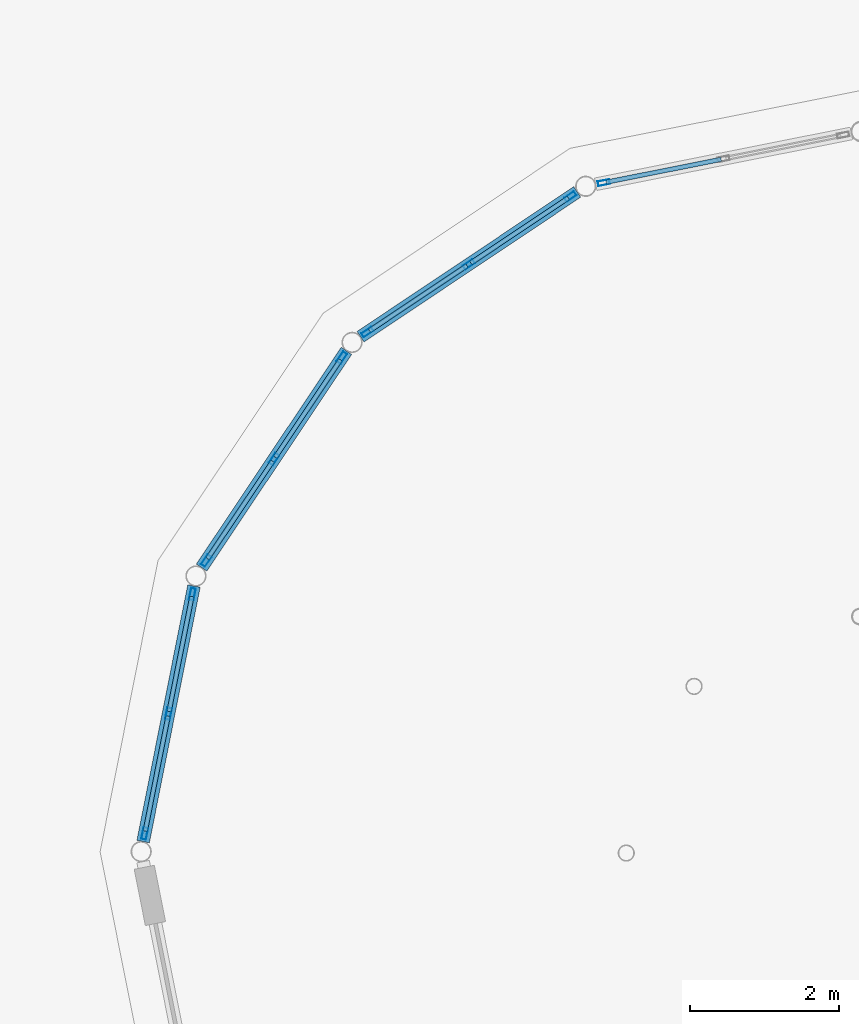
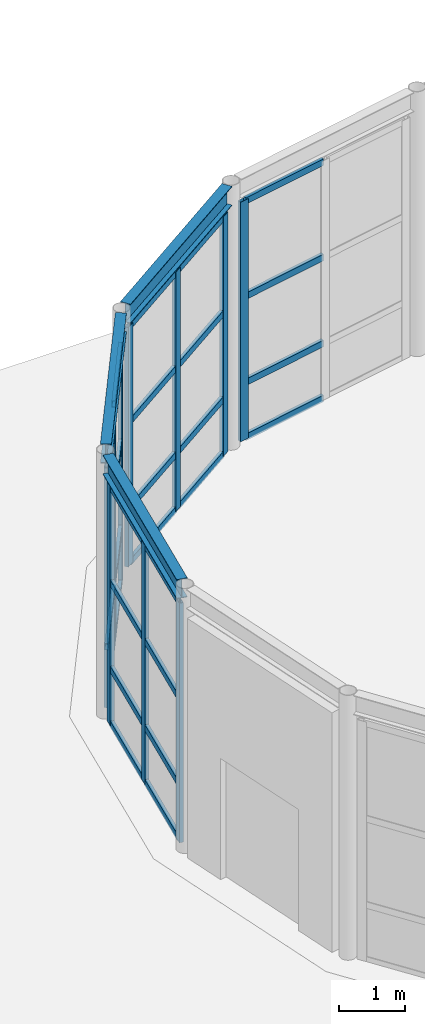
# One storey, part 16 of 57: 38 members, 3 beams, 4 elements without a shape of their own.
"""IFC4 building model written with IfcOpenShell, lengths in metres."""

from ifc_helpers import new_model, si_unit, direction, frame, origin, origin_2d, place, context, subcontext, project, spatial, hollow_rectangle, i_section, extrude, material, layer, layer_set, material_profile, profile_set, type_object, element, aggregate, save


model = new_model("IFC4")

# Units and contexts
model_context = context("Model", 3, precision=1e-05, world=origin(), true_north=direction((0.0, 1.0)))
body_context = subcontext(model_context, "Body", "Model", "MODEL_VIEW")
ifc_project = project(units=[si_unit("LENGTHUNIT", "METRE"), si_unit("AREAUNIT", "SQUARE_METRE"), si_unit("VOLUMEUNIT", "CUBIC_METRE"), si_unit("PLANEANGLEUNIT", "RADIAN"), si_unit("MASSUNIT", "GRAM", prefix="KILO")], contexts=[model_context])

# Site, building, storey
site_placement = place(None, origin())
site = spatial("IfcSite", under=ifc_project, at=site_placement, CompositionType="ELEMENT")
building_placement = place(site_placement, origin())
building = spatial("IfcBuilding", under=site, at=building_placement, Name="Kharisveld Research Institute", CompositionType="ELEMENT")
storey_placement = place(building_placement, origin())
storey = spatial("IfcBuildingStorey", under=building, at=storey_placement, Name="L00", CompositionType="ELEMENT", Elevation=0.0)

# Beams
ifc_material_1 = material(Name="Steel S355JR", Category="steel")
ifc_material_profile_1 = material_profile(ifc_material_1, i_section(OverallWidth=0.169921875, OverallDepth=0.360107421875, WebThickness=0.008056640625, FlangeThickness=0.0126953125, at=origin_2d()))
ifc_profile_set_1 = profile_set([ifc_material_profile_1], Name="Steel S355JR")
beam_type = type_object("IfcBeamType", Name="BM_ST_IPE360", PredefinedType="BEAM", material=ifc_profile_set_1)
beam_1_placement = place(storey_placement, frame((55.693603515625, 59.6396484375, 4.739990234375), z_axis=(-0.831479839999, -0.555554925885, 0.0), x_axis=(0.555554925885, -0.831479839999, 0.0)))
element("IfcBeam", 1, at=beam_1_placement, inside=storey, type_object=beam_type, Name="BM:V6:L00:RING05", PredefinedType="BEAM", context=body_context, shape_type="SweptSolid", body=[
    extrude(i_section(OverallWidth=0.169921875, OverallDepth=0.360107421875, WebThickness=0.008056640625, FlangeThickness=0.0126953125, at=origin_2d()), origin(), (0.0, 0.0, 1.0), 3.492431640625),
])
beam_2_placement = place(storey_placement, frame((52.6005859375, 57.510009765625, 4.739990234375), z_axis=(-0.555587219906, -0.831458261777, 0.0), x_axis=(0.831458261777, -0.555587219906, 0.0)))
element("IfcBeam", 2, at=beam_2_placement, inside=storey, type_object=beam_type, Name="BM:V6:L00:RING06", PredefinedType="BEAM", context=body_context, shape_type="SweptSolid", body=[
    extrude(i_section(OverallWidth=0.169921875, OverallDepth=0.360107421875, WebThickness=0.008056640625, FlangeThickness=0.0126953125, at=origin_2d()), origin(), (0.0, 0.0, 1.0), 3.4921875),
])
beam_3_placement = place(storey_placement, frame((50.557861328125, 54.359130859375, 4.739990234375), z_axis=(-0.1950405249, -0.980795184351, 0.0), x_axis=(0.980795184351, -0.1950405249, 0.0)))
element("IfcBeam", 3, at=beam_3_placement, inside=storey, type_object=beam_type, Name="BM:V6:L00:RING07", PredefinedType="BEAM", context=body_context, shape_type="SweptSolid", body=[
    extrude(i_section(OverallWidth=0.169921875, OverallDepth=0.360107421875, WebThickness=0.008056640625, FlangeThickness=0.0126953125, at=origin_2d()), origin(), (0.0, 0.0, 1.0), 3.492431640625),
])

# Curtain wall, member
ifc_material_2 = material(Name="Thermally Broken Aluminium Curtain Wall", Category="aluminium")
ifc_layer_1 = layer(ifc_material_2, 0.159912109375)
ifc_layer_set_1 = layer_set([ifc_layer_1], Name="CW_SYS_02")
curtain_wall_type_1 = type_object("IfcCurtainWallType", Name="CW_SYS_02", PredefinedType="NOTDEFINED", material=ifc_layer_set_1)
curtain_wall_1_placement = place(storey_placement, origin())
curtain_wall_1 = element("IfcCurtainWall", 4, at=curtain_wall_1_placement, inside=storey, type_object=curtain_wall_type_1, Name="CW:V6:L00:CHORD04", PredefinedType="NOTDEFINED")
ifc_material_3 = material(Name="Anodised Aluminium AW-6063-T6", Category="aluminium")
ifc_material_profile_2 = material_profile(ifc_material_3, hollow_rectangle(XDim=0.06494140625, YDim=0.159912109375, WallThickness=0.00390625, at=origin_2d()))
ifc_profile_set_2 = profile_set([ifc_material_profile_2], Name="Anodised Aluminium AW-6063-T6")
member_type_1 = type_object("IfcMemberType", Name="CW_MUL_160", PredefinedType="MULLION", material=ifc_profile_set_2)
member_1_placement = place(storey_placement, frame((56.0498046875, 59.763671875, 0.0), z_axis=(0.0, 0.0, 1.0), x_axis=(-0.195090730724, 0.980785199106, 0.0)))
member_1 = element("IfcMember", 5, at=member_1_placement, type_object=member_type_1, Name="CW-02 mullion 1", PredefinedType="MULLION", context=body_context, shape_type="SweptSolid", body=[
    extrude(hollow_rectangle(XDim=0.06494140625, YDim=0.159912109375, WallThickness=0.00390625, at=origin_2d()), origin(), (0.0, 0.0, 1.0), 4.449951171875),
])

# Curtain wall, members
ifc_material_4 = material(Name="Thermally Broken Aluminium Curtain Wall", Category="aluminium")
ifc_layer_2 = layer(ifc_material_4, 0.159912109375)
ifc_layer_set_2 = layer_set([ifc_layer_2], Name="CW_SYS_03")
curtain_wall_type_2 = type_object("IfcCurtainWallType", Name="CW_SYS_03", PredefinedType="NOTDEFINED", material=ifc_layer_set_2)
curtain_wall_2_placement = place(storey_placement, origin())
curtain_wall_2 = element("IfcCurtainWall", 6, at=curtain_wall_2_placement, inside=storey, type_object=curtain_wall_type_2, Name="CW:V6:L00:CHORD05", PredefinedType="NOTDEFINED")
member_2_placement = place(storey_placement, frame((52.88232421875, 57.760986328125, 0.0), z_axis=(0.0, 0.0, 1.0), x_axis=(-0.555570109828, 0.831469694616, 0.0)))
member_2 = element("IfcMember", 7, at=member_2_placement, type_object=member_type_1, Name="CW-03 mullion 1", PredefinedType="MULLION", context=body_context, shape_type="SweptSolid", body=[
    extrude(hollow_rectangle(XDim=0.06494140625, YDim=0.159912109375, WallThickness=0.00390625, at=origin_2d()), origin(), (0.0, 0.0, 1.0), 4.449951171875),
])
member_3_placement = place(storey_placement, frame((54.24169921875, 58.66943359375, 0.0), z_axis=(0.0, 0.0, 1.0), x_axis=(-0.555570109828, 0.831469694616, 0.0)))
member_3 = element("IfcMember", 8, at=member_3_placement, type_object=member_type_1, Name="CW-03 mullion 2", PredefinedType="MULLION", context=body_context, shape_type="SweptSolid", body=[
    extrude(hollow_rectangle(XDim=0.06494140625, YDim=0.159912109375, WallThickness=0.00390625, at=origin_2d()), origin(), (0.0, 0.0, 1.0), 4.449951171875),
])
member_4_placement = place(storey_placement, frame((55.601318359375, 59.577880859375, 0.0), z_axis=(0.0, 0.0, 1.0), x_axis=(-0.555570109828, 0.831469694616, 0.0)))
member_4 = element("IfcMember", 9, at=member_4_placement, type_object=member_type_1, Name="CW-03 mullion 3", PredefinedType="MULLION", context=body_context, shape_type="SweptSolid", body=[
    extrude(hollow_rectangle(XDim=0.06494140625, YDim=0.159912109375, WallThickness=0.00390625, at=origin_2d()), origin(), (0.0, 0.0, 1.0), 4.449951171875),
])

ifc_material_5 = material(Name="Thermally Broken Aluminium Curtain Wall", Category="aluminium")
ifc_layer_3 = layer(ifc_material_5, 0.159912109375)
ifc_layer_set_3 = layer_set([ifc_layer_3], Name="CW_SYS_04")
curtain_wall_type_3 = type_object("IfcCurtainWallType", Name="CW_SYS_04", PredefinedType="NOTDEFINED", material=ifc_layer_set_3)
curtain_wall_3_placement = place(storey_placement, origin())
curtain_wall_3 = element("IfcCurtainWall", 10, at=curtain_wall_3_placement, inside=storey, type_object=curtain_wall_type_3, Name="CW:V6:L00:CHORD06", PredefinedType="NOTDEFINED")
member_5_placement = place(storey_placement, frame((50.72216796875, 54.69873046875, 0.0), z_axis=(0.0, 0.0, 1.0), x_axis=(-0.831469694616, 0.555570109828, 0.0)))
member_5 = element("IfcMember", 11, at=member_5_placement, type_object=member_type_1, Name="CW-04 mullion 1", PredefinedType="MULLION", context=body_context, shape_type="SweptSolid", body=[
    extrude(hollow_rectangle(XDim=0.06494140625, YDim=0.159912109375, WallThickness=0.00390625, at=origin_2d()), origin(), (0.0, 0.0, 1.0), 4.449951171875),
])
member_6_placement = place(storey_placement, frame((51.63037109375, 56.058349609375, 0.0), z_axis=(0.0, 0.0, 1.0), x_axis=(-0.831469694616, 0.555570109828, 0.0)))
member_6 = element("IfcMember", 12, at=member_6_placement, type_object=member_type_1, Name="CW-04 mullion 2", PredefinedType="MULLION", context=body_context, shape_type="SweptSolid", body=[
    extrude(hollow_rectangle(XDim=0.06494140625, YDim=0.159912109375, WallThickness=0.00390625, at=origin_2d()), origin(), (0.0, 0.0, 1.0), 4.449951171875),
])
member_7_placement = place(storey_placement, frame((52.538818359375, 57.417724609375, 0.0), z_axis=(0.0, 0.0, 1.0), x_axis=(-0.831469694616, 0.555570109828, 0.0)))
member_7 = element("IfcMember", 13, at=member_7_placement, type_object=member_type_1, Name="CW-04 mullion 3", PredefinedType="MULLION", context=body_context, shape_type="SweptSolid", body=[
    extrude(hollow_rectangle(XDim=0.06494140625, YDim=0.159912109375, WallThickness=0.00390625, at=origin_2d()), origin(), (0.0, 0.0, 1.0), 4.449951171875),
])

ifc_material_6 = material(Name="Thermally Broken Aluminium Curtain Wall", Category="aluminium")
ifc_layer_4 = layer(ifc_material_6, 0.159912109375)
ifc_layer_set_4 = layer_set([ifc_layer_4], Name="CW_SYS_05")
curtain_wall_type_4 = type_object("IfcCurtainWallType", Name="CW_SYS_05", PredefinedType="NOTDEFINED", material=ifc_layer_set_4)
curtain_wall_4_placement = place(storey_placement, origin())
curtain_wall_4 = element("IfcCurtainWall", 14, at=curtain_wall_4_placement, inside=storey, type_object=curtain_wall_type_4, Name="CW:V6:L00:CHORD07", PredefinedType="NOTDEFINED")
member_8_placement = place(storey_placement, frame((49.898193359375, 51.042724609375, 0.0), z_axis=(0.0, 0.0, 1.0), x_axis=(-0.980785199106, 0.195090730724, 0.0)))
member_8 = element("IfcMember", 15, at=member_8_placement, type_object=member_type_1, Name="CW-05 mullion 1", PredefinedType="MULLION", context=body_context, shape_type="SweptSolid", body=[
    extrude(hollow_rectangle(XDim=0.06494140625, YDim=0.159912109375, WallThickness=0.00390625, at=origin_2d()), origin(), (0.0, 0.0, 1.0), 4.449951171875),
])
member_9_placement = place(storey_placement, frame((50.21728515625, 52.646484375, 0.0), z_axis=(0.0, 0.0, 1.0), x_axis=(-0.980785199106, 0.195090730724, 0.0)))
member_9 = element("IfcMember", 16, at=member_9_placement, type_object=member_type_1, Name="CW-05 mullion 2", PredefinedType="MULLION", context=body_context, shape_type="SweptSolid", body=[
    extrude(hollow_rectangle(XDim=0.06494140625, YDim=0.159912109375, WallThickness=0.00390625, at=origin_2d()), origin(), (0.0, 0.0, 1.0), 4.449951171875),
])
member_10_placement = place(storey_placement, frame((50.536376953125, 54.250244140625, 0.0), z_axis=(0.0, 0.0, 1.0), x_axis=(-0.980785199106, 0.195090730724, 0.0)))
member_10 = element("IfcMember", 17, at=member_10_placement, type_object=member_type_1, Name="CW-05 mullion 3", PredefinedType="MULLION", context=body_context, shape_type="SweptSolid", body=[
    extrude(hollow_rectangle(XDim=0.06494140625, YDim=0.159912109375, WallThickness=0.00390625, at=origin_2d()), origin(), (0.0, 0.0, 1.0), 4.449951171875),
])

# Member
ifc_material_7 = material(Name="Anodised Aluminium AW-6063-T6", Category="aluminium")
ifc_material_profile_3 = material_profile(ifc_material_7, hollow_rectangle(XDim=0.06005859375, YDim=0.1201171875, WallThickness=0.00390625, at=origin_2d()))
ifc_profile_set_3 = profile_set([ifc_material_profile_3], Name="Anodised Aluminium AW-6063-T6")
member_type_2 = type_object("IfcMemberType", Name="CW_TRN_120", PredefinedType="USERDEFINED", material=ifc_profile_set_3)
member_11_placement = place(storey_placement, frame((56.081787109375, 59.77001953125, 0.030029296875), z_axis=(0.980771599816, 0.195159086375, 0.0), x_axis=(-0.195159086375, 0.980771599816, 0.0)))
member_11 = element("IfcMember", 18, at=member_11_placement, type_object=member_type_2, Name="CW-02 transom 1.1", ObjectType="TRANSOM", PredefinedType="USERDEFINED", context=body_context, shape_type="SweptSolid", body=[
    extrude(hollow_rectangle(XDim=0.06005859375, YDim=0.1201171875, WallThickness=0.00390625, at=origin_2d()), origin(), (0.0, 0.0, 1.0), 1.570068359375),
])

member_12_placement = place(storey_placement, frame((56.081787109375, 59.77001953125, 1.050048828125), z_axis=(0.980771599816, 0.195159086375, 0.0), x_axis=(-0.195159086375, 0.980771599816, 0.0)))
member_12 = element("IfcMember", 19, at=member_12_placement, type_object=member_type_2, Name="CW-02 transom 1.2", ObjectType="TRANSOM", PredefinedType="USERDEFINED", context=body_context, shape_type="SweptSolid", body=[
    extrude(hollow_rectangle(XDim=0.06005859375, YDim=0.1201171875, WallThickness=0.00390625, at=origin_2d()), origin(), (0.0, 0.0, 1.0), 1.570068359375),
])

member_13_placement = place(storey_placement, frame((56.081787109375, 59.77001953125, 2.64990234375), z_axis=(0.980771599816, 0.195159086375, 0.0), x_axis=(-0.195159086375, 0.980771599816, 0.0)))
member_13 = element("IfcMember", 20, at=member_13_placement, type_object=member_type_2, Name="CW-02 transom 1.3", ObjectType="TRANSOM", PredefinedType="USERDEFINED", context=body_context, shape_type="SweptSolid", body=[
    extrude(hollow_rectangle(XDim=0.06005859375, YDim=0.1201171875, WallThickness=0.00390625, at=origin_2d()), origin(), (0.0, 0.0, 1.0), 1.570068359375),
])

member_14_placement = place(storey_placement, frame((56.081787109375, 59.77001953125, 4.419921875), z_axis=(0.980771599816, 0.195159086375, 0.0), x_axis=(-0.195159086375, 0.980771599816, 0.0)))
member_14 = element("IfcMember", 21, at=member_14_placement, type_object=member_type_2, Name="CW-02 transom 1.4", ObjectType="TRANSOM", PredefinedType="USERDEFINED", context=body_context, shape_type="SweptSolid", body=[
    extrude(hollow_rectangle(XDim=0.06005859375, YDim=0.1201171875, WallThickness=0.00390625, at=origin_2d()), origin(), (0.0, 0.0, 1.0), 1.570068359375),
])

aggregate(curtain_wall_1, [member_1, member_11, member_12, member_13, member_14])

member_15_placement = place(storey_placement, frame((52.9091796875, 57.779052734375, 0.030029296875), z_axis=(0.831499729939, 0.555525156147, 0.0), x_axis=(-0.555525156147, 0.831499729939, 0.0)))
member_15 = element("IfcMember", 22, at=member_15_placement, type_object=member_type_2, Name="CW-03 transom 1.1", ObjectType="TRANSOM", PredefinedType="USERDEFINED", context=body_context, shape_type="SweptSolid", body=[
    extrude(hollow_rectangle(XDim=0.06005859375, YDim=0.1201171875, WallThickness=0.00390625, at=origin_2d()), origin(), (0.0, 0.0, 1.0), 1.5703125),
])

member_16_placement = place(storey_placement, frame((52.9091796875, 57.779052734375, 1.050048828125), z_axis=(0.831499729939, 0.555525156147, 0.0), x_axis=(-0.555525156147, 0.831499729939, 0.0)))
member_16 = element("IfcMember", 23, at=member_16_placement, type_object=member_type_2, Name="CW-03 transom 1.2", ObjectType="TRANSOM", PredefinedType="USERDEFINED", context=body_context, shape_type="SweptSolid", body=[
    extrude(hollow_rectangle(XDim=0.06005859375, YDim=0.1201171875, WallThickness=0.00390625, at=origin_2d()), origin(), (0.0, 0.0, 1.0), 1.5703125),
])

member_17_placement = place(storey_placement, frame((52.9091796875, 57.779052734375, 2.64990234375), z_axis=(0.831499729939, 0.555525156147, 0.0), x_axis=(-0.555525156147, 0.831499729939, 0.0)))
member_17 = element("IfcMember", 24, at=member_17_placement, type_object=member_type_2, Name="CW-03 transom 1.3", ObjectType="TRANSOM", PredefinedType="USERDEFINED", context=body_context, shape_type="SweptSolid", body=[
    extrude(hollow_rectangle(XDim=0.06005859375, YDim=0.1201171875, WallThickness=0.00390625, at=origin_2d()), origin(), (0.0, 0.0, 1.0), 1.5703125),
])

member_18_placement = place(storey_placement, frame((52.9091796875, 57.779052734375, 4.419921875), z_axis=(0.831499729939, 0.555525156147, 0.0), x_axis=(-0.555525156147, 0.831499729939, 0.0)))
member_18 = element("IfcMember", 25, at=member_18_placement, type_object=member_type_2, Name="CW-03 transom 1.4", ObjectType="TRANSOM", PredefinedType="USERDEFINED", context=body_context, shape_type="SweptSolid", body=[
    extrude(hollow_rectangle(XDim=0.06005859375, YDim=0.1201171875, WallThickness=0.00390625, at=origin_2d()), origin(), (0.0, 0.0, 1.0), 1.5703125),
])

member_19_placement = place(storey_placement, frame((54.268798828125, 58.6875, 0.030029296875), z_axis=(0.831451738652, 0.555596981897, 0.0), x_axis=(-0.555596981897, 0.831451738652, 0.0)))
member_19 = element("IfcMember", 26, at=member_19_placement, type_object=member_type_2, Name="CW-03 transom 2.1", ObjectType="TRANSOM", PredefinedType="USERDEFINED", context=body_context, shape_type="SweptSolid", body=[
    extrude(hollow_rectangle(XDim=0.06005859375, YDim=0.1201171875, WallThickness=0.00390625, at=origin_2d()), origin(), (0.0, 0.0, 1.0), 1.570068359375),
])

member_20_placement = place(storey_placement, frame((54.268798828125, 58.6875, 1.050048828125), z_axis=(0.831451738652, 0.555596981897, 0.0), x_axis=(-0.555596981897, 0.831451738652, 0.0)))
member_20 = element("IfcMember", 27, at=member_20_placement, type_object=member_type_2, Name="CW-03 transom 2.2", ObjectType="TRANSOM", PredefinedType="USERDEFINED", context=body_context, shape_type="SweptSolid", body=[
    extrude(hollow_rectangle(XDim=0.06005859375, YDim=0.1201171875, WallThickness=0.00390625, at=origin_2d()), origin(), (0.0, 0.0, 1.0), 1.570068359375),
])

member_21_placement = place(storey_placement, frame((54.268798828125, 58.6875, 2.64990234375), z_axis=(0.831451738652, 0.555596981897, 0.0), x_axis=(-0.555596981897, 0.831451738652, 0.0)))
member_21 = element("IfcMember", 28, at=member_21_placement, type_object=member_type_2, Name="CW-03 transom 2.3", ObjectType="TRANSOM", PredefinedType="USERDEFINED", context=body_context, shape_type="SweptSolid", body=[
    extrude(hollow_rectangle(XDim=0.06005859375, YDim=0.1201171875, WallThickness=0.00390625, at=origin_2d()), origin(), (0.0, 0.0, 1.0), 1.570068359375),
])

member_22_placement = place(storey_placement, frame((54.268798828125, 58.6875, 4.419921875), z_axis=(0.831451738652, 0.555596981897, 0.0), x_axis=(-0.555596981897, 0.831451738652, 0.0)))
member_22 = element("IfcMember", 29, at=member_22_placement, type_object=member_type_2, Name="CW-03 transom 2.4", ObjectType="TRANSOM", PredefinedType="USERDEFINED", context=body_context, shape_type="SweptSolid", body=[
    extrude(hollow_rectangle(XDim=0.06005859375, YDim=0.1201171875, WallThickness=0.00390625, at=origin_2d()), origin(), (0.0, 0.0, 1.0), 1.570068359375),
])

aggregate(curtain_wall_2, [member_2, member_3, member_4, member_15, member_16, member_17, member_18, member_19, member_20, member_21, member_22])

member_23_placement = place(storey_placement, frame((50.740234375, 54.7255859375, 0.030029296875), z_axis=(0.555525156147, 0.831499729939, 0.0), x_axis=(-0.831499729939, 0.555525156147, 0.0)))
member_23 = element("IfcMember", 30, at=member_23_placement, type_object=member_type_2, Name="CW-04 transom 1.1", ObjectType="TRANSOM", PredefinedType="USERDEFINED", context=body_context, shape_type="SweptSolid", body=[
    extrude(hollow_rectangle(XDim=0.06005859375, YDim=0.1201171875, WallThickness=0.00390625, at=origin_2d()), origin(), (0.0, 0.0, 1.0), 1.5703125),
])

member_24_placement = place(storey_placement, frame((50.740234375, 54.7255859375, 1.050048828125), z_axis=(0.555525156147, 0.831499729939, 0.0), x_axis=(-0.831499729939, 0.555525156147, 0.0)))
member_24 = element("IfcMember", 31, at=member_24_placement, type_object=member_type_2, Name="CW-04 transom 1.2", ObjectType="TRANSOM", PredefinedType="USERDEFINED", context=body_context, shape_type="SweptSolid", body=[
    extrude(hollow_rectangle(XDim=0.06005859375, YDim=0.1201171875, WallThickness=0.00390625, at=origin_2d()), origin(), (0.0, 0.0, 1.0), 1.5703125),
])

member_25_placement = place(storey_placement, frame((50.740234375, 54.7255859375, 2.64990234375), z_axis=(0.555525156147, 0.831499729939, 0.0), x_axis=(-0.831499729939, 0.555525156147, 0.0)))
member_25 = element("IfcMember", 32, at=member_25_placement, type_object=member_type_2, Name="CW-04 transom 1.3", ObjectType="TRANSOM", PredefinedType="USERDEFINED", context=body_context, shape_type="SweptSolid", body=[
    extrude(hollow_rectangle(XDim=0.06005859375, YDim=0.1201171875, WallThickness=0.00390625, at=origin_2d()), origin(), (0.0, 0.0, 1.0), 1.5703125),
])

member_26_placement = place(storey_placement, frame((50.740234375, 54.7255859375, 4.419921875), z_axis=(0.555525156147, 0.831499729939, 0.0), x_axis=(-0.831499729939, 0.555525156147, 0.0)))
member_26 = element("IfcMember", 33, at=member_26_placement, type_object=member_type_2, Name="CW-04 transom 1.4", ObjectType="TRANSOM", PredefinedType="USERDEFINED", context=body_context, shape_type="SweptSolid", body=[
    extrude(hollow_rectangle(XDim=0.06005859375, YDim=0.1201171875, WallThickness=0.00390625, at=origin_2d()), origin(), (0.0, 0.0, 1.0), 1.5703125),
])

member_27_placement = place(storey_placement, frame((51.6484375, 56.085205078125, 0.030029296875), z_axis=(0.555525156147, 0.831499729939, 0.0), x_axis=(-0.831499729939, 0.555525156147, 0.0)))
member_27 = element("IfcMember", 34, at=member_27_placement, type_object=member_type_2, Name="CW-04 transom 2.1", ObjectType="TRANSOM", PredefinedType="USERDEFINED", context=body_context, shape_type="SweptSolid", body=[
    extrude(hollow_rectangle(XDim=0.06005859375, YDim=0.1201171875, WallThickness=0.00390625, at=origin_2d()), origin(), (0.0, 0.0, 1.0), 1.5703125),
])

member_28_placement = place(storey_placement, frame((51.6484375, 56.085205078125, 1.050048828125), z_axis=(0.555525156147, 0.831499729939, 0.0), x_axis=(-0.831499729939, 0.555525156147, 0.0)))
member_28 = element("IfcMember", 35, at=member_28_placement, type_object=member_type_2, Name="CW-04 transom 2.2", ObjectType="TRANSOM", PredefinedType="USERDEFINED", context=body_context, shape_type="SweptSolid", body=[
    extrude(hollow_rectangle(XDim=0.06005859375, YDim=0.1201171875, WallThickness=0.00390625, at=origin_2d()), origin(), (0.0, 0.0, 1.0), 1.5703125),
])

member_29_placement = place(storey_placement, frame((51.6484375, 56.085205078125, 2.64990234375), z_axis=(0.555525156147, 0.831499729939, 0.0), x_axis=(-0.831499729939, 0.555525156147, 0.0)))
member_29 = element("IfcMember", 36, at=member_29_placement, type_object=member_type_2, Name="CW-04 transom 2.3", ObjectType="TRANSOM", PredefinedType="USERDEFINED", context=body_context, shape_type="SweptSolid", body=[
    extrude(hollow_rectangle(XDim=0.06005859375, YDim=0.1201171875, WallThickness=0.00390625, at=origin_2d()), origin(), (0.0, 0.0, 1.0), 1.5703125),
])

member_30_placement = place(storey_placement, frame((51.6484375, 56.085205078125, 4.419921875), z_axis=(0.555525156147, 0.831499729939, 0.0), x_axis=(-0.831499729939, 0.555525156147, 0.0)))
member_30 = element("IfcMember", 37, at=member_30_placement, type_object=member_type_2, Name="CW-04 transom 2.4", ObjectType="TRANSOM", PredefinedType="USERDEFINED", context=body_context, shape_type="SweptSolid", body=[
    extrude(hollow_rectangle(XDim=0.06005859375, YDim=0.1201171875, WallThickness=0.00390625, at=origin_2d()), origin(), (0.0, 0.0, 1.0), 1.5703125),
])

aggregate(curtain_wall_3, [member_5, member_6, member_7, member_23, member_24, member_25, member_26, member_27, member_28, member_29, member_30])

member_31_placement = place(storey_placement, frame((49.904541015625, 51.07470703125, 0.030029296875), z_axis=(0.195159086375, 0.980771599816, 0.0), x_axis=(-0.980771599816, 0.195159086375, 0.0)))
member_31 = element("IfcMember", 38, at=member_31_placement, type_object=member_type_2, Name="CW-05 transom 1.1", ObjectType="TRANSOM", PredefinedType="USERDEFINED", context=body_context, shape_type="SweptSolid", body=[
    extrude(hollow_rectangle(XDim=0.06005859375, YDim=0.1201171875, WallThickness=0.00390625, at=origin_2d()), origin(), (0.0, 0.0, 1.0), 1.570068359375),
])

member_32_placement = place(storey_placement, frame((49.904541015625, 51.07470703125, 1.050048828125), z_axis=(0.195159086375, 0.980771599816, 0.0), x_axis=(-0.980771599816, 0.195159086375, 0.0)))
member_32 = element("IfcMember", 39, at=member_32_placement, type_object=member_type_2, Name="CW-05 transom 1.2", ObjectType="TRANSOM", PredefinedType="USERDEFINED", context=body_context, shape_type="SweptSolid", body=[
    extrude(hollow_rectangle(XDim=0.06005859375, YDim=0.1201171875, WallThickness=0.00390625, at=origin_2d()), origin(), (0.0, 0.0, 1.0), 1.570068359375),
])

member_33_placement = place(storey_placement, frame((49.904541015625, 51.07470703125, 2.64990234375), z_axis=(0.195159086375, 0.980771599816, 0.0), x_axis=(-0.980771599816, 0.195159086375, 0.0)))
member_33 = element("IfcMember", 40, at=member_33_placement, type_object=member_type_2, Name="CW-05 transom 1.3", ObjectType="TRANSOM", PredefinedType="USERDEFINED", context=body_context, shape_type="SweptSolid", body=[
    extrude(hollow_rectangle(XDim=0.06005859375, YDim=0.1201171875, WallThickness=0.00390625, at=origin_2d()), origin(), (0.0, 0.0, 1.0), 1.570068359375),
])

member_34_placement = place(storey_placement, frame((49.904541015625, 51.07470703125, 4.419921875), z_axis=(0.195159086375, 0.980771599816, 0.0), x_axis=(-0.980771599816, 0.195159086375, 0.0)))
member_34 = element("IfcMember", 41, at=member_34_placement, type_object=member_type_2, Name="CW-05 transom 1.4", ObjectType="TRANSOM", PredefinedType="USERDEFINED", context=body_context, shape_type="SweptSolid", body=[
    extrude(hollow_rectangle(XDim=0.06005859375, YDim=0.1201171875, WallThickness=0.00390625, at=origin_2d()), origin(), (0.0, 0.0, 1.0), 1.570068359375),
])

member_35_placement = place(storey_placement, frame((50.2236328125, 52.67822265625, 0.030029296875), z_axis=(0.195129326111, 0.9807775212, 0.0), x_axis=(-0.9807775212, 0.195129326111, 0.0)))
member_35 = element("IfcMember", 42, at=member_35_placement, type_object=member_type_2, Name="CW-05 transom 2.1", ObjectType="TRANSOM", PredefinedType="USERDEFINED", context=body_context, shape_type="SweptSolid", body=[
    extrude(hollow_rectangle(XDim=0.06005859375, YDim=0.1201171875, WallThickness=0.00390625, at=origin_2d()), origin(), (0.0, 0.0, 1.0), 1.5703125),
])

member_36_placement = place(storey_placement, frame((50.2236328125, 52.67822265625, 1.050048828125), z_axis=(0.195129326111, 0.9807775212, 0.0), x_axis=(-0.9807775212, 0.195129326111, 0.0)))
member_36 = element("IfcMember", 43, at=member_36_placement, type_object=member_type_2, Name="CW-05 transom 2.2", ObjectType="TRANSOM", PredefinedType="USERDEFINED", context=body_context, shape_type="SweptSolid", body=[
    extrude(hollow_rectangle(XDim=0.06005859375, YDim=0.1201171875, WallThickness=0.00390625, at=origin_2d()), origin(), (0.0, 0.0, 1.0), 1.5703125),
])

member_37_placement = place(storey_placement, frame((50.2236328125, 52.67822265625, 2.64990234375), z_axis=(0.195129326111, 0.9807775212, 0.0), x_axis=(-0.9807775212, 0.195129326111, 0.0)))
member_37 = element("IfcMember", 44, at=member_37_placement, type_object=member_type_2, Name="CW-05 transom 2.3", ObjectType="TRANSOM", PredefinedType="USERDEFINED", context=body_context, shape_type="SweptSolid", body=[
    extrude(hollow_rectangle(XDim=0.06005859375, YDim=0.1201171875, WallThickness=0.00390625, at=origin_2d()), origin(), (0.0, 0.0, 1.0), 1.5703125),
])

member_38_placement = place(storey_placement, frame((50.2236328125, 52.67822265625, 4.419921875), z_axis=(0.195129326111, 0.9807775212, 0.0), x_axis=(-0.9807775212, 0.195129326111, 0.0)))
member_38 = element("IfcMember", 45, at=member_38_placement, type_object=member_type_2, Name="CW-05 transom 2.4", ObjectType="TRANSOM", PredefinedType="USERDEFINED", context=body_context, shape_type="SweptSolid", body=[
    extrude(hollow_rectangle(XDim=0.06005859375, YDim=0.1201171875, WallThickness=0.00390625, at=origin_2d()), origin(), (0.0, 0.0, 1.0), 1.5703125),
])

aggregate(curtain_wall_4, [member_8, member_9, member_10, member_31, member_32, member_33, member_34, member_35, member_36, member_37, member_38])

save(model, "model.ifc")
